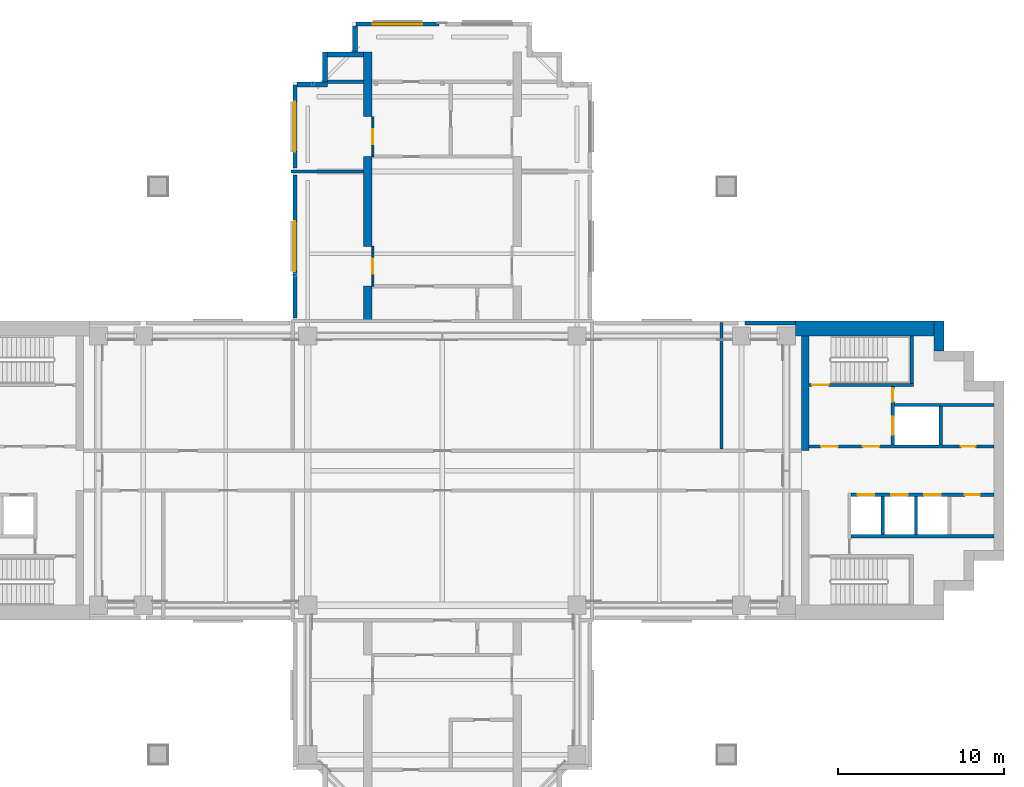
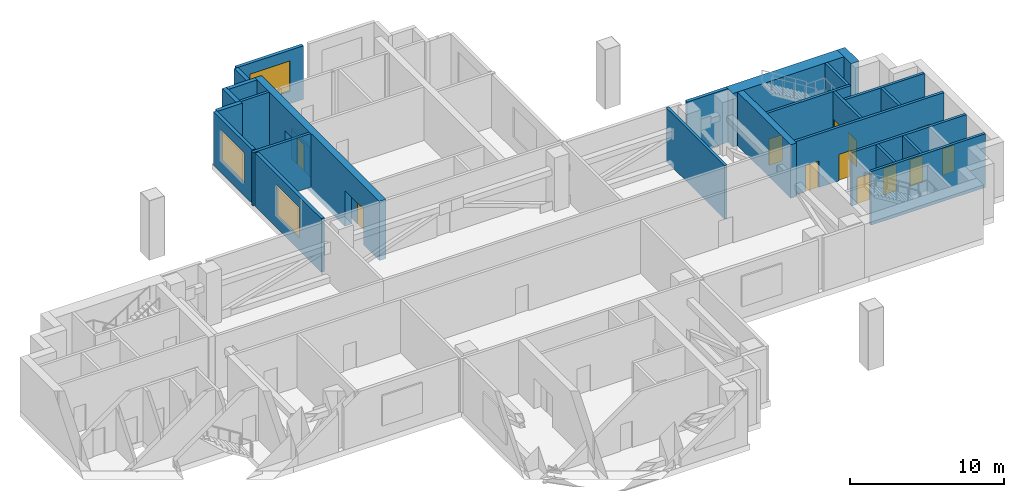
# One storey, part 7 of 11: 27 walls, 12 doors, 3 windows, 15 openings.
"""IFC4 building model written with IfcOpenShell, lengths in metres."""

from ifc_helpers import new_model, si_unit, direction, frame, frame_2d, origin, place, context, subcontext, project, spatial, polyline, rectangle, outline, extrude, material, layer, layer_set, material_profile, profile_set, type_object, element, fill, save


model = new_model("IFC4")

# Units and contexts
model_context = context("Model", 3, precision=1e-05, world=origin(), true_north=direction((0.0, 1.0)))
body_context = subcontext(model_context, "Body", "Model", "MODEL_VIEW")
ifc_project = project(units=[si_unit("LENGTHUNIT", "METRE"), si_unit("AREAUNIT", "SQUARE_METRE"), si_unit("VOLUMEUNIT", "CUBIC_METRE"), si_unit("PLANEANGLEUNIT", "RADIAN"), si_unit("MASSUNIT", "GRAM", prefix="KILO")], contexts=[model_context])

# Site, building, storey
site_placement = place(None, origin())
site = spatial("IfcSite", under=ifc_project, at=site_placement, CompositionType="ELEMENT")
building_placement = place(site_placement, origin())
building = spatial("IfcBuilding", under=site, at=building_placement, Name="Perihelion Cross Residences", CompositionType="ELEMENT")
storey_placement = place(building_placement, frame((0.0, 0.0, 162.10009765625)))
storey = spatial("IfcBuildingStorey", under=building, at=storey_placement, Name="L39", CompositionType="ELEMENT", Elevation=162.10009765625)

# Walls
ifc_material_1 = material(Name="Plasterboard partition")
ifc_layer_1 = layer(ifc_material_1, 0.199951171875)
ifc_layer_set_1 = layer_set([ifc_layer_1], Name="Apartment riser wall 200")
wall_type_1 = type_object("IfcWallType", Name="Apartment riser wall 200", PredefinedType="PARTITIONING", material=ifc_layer_set_1)
wall_1_placement = place(storey_placement, frame((16.800048828125, 8.89990234375, 0.0), z_axis=(0.0, 0.0, 1.0), x_axis=(0.0, -1.0, 0.0)))
element("IfcWall", 1, at=wall_1_placement, inside=storey, type_object=wall_type_1, Name="Partition L39 W011", PredefinedType="PARTITIONING", context=body_context, shape_type="SweptSolid", body=[
    extrude(rectangle(XDim=7.599853515625, YDim=0.199951171875, at=frame_2d((3.7998046875, 0.0))), origin(), (0.0, 0.0, 1.0), 4.25),
])
wall_2_placement = place(storey_placement, frame((-9.10009765625, 18.0, 0.0), z_axis=(0.0, 0.0, 1.0), x_axis=(1.0, 0.0, 0.0)))
element("IfcWall", 2, at=wall_2_placement, inside=storey, type_object=wall_type_1, Name="Partition L39 W020", PredefinedType="PARTITIONING", context=body_context, shape_type="SweptSolid", body=[
    extrude(rectangle(XDim=4.35009765625, YDim=0.199951171875, at=frame_2d((2.175048828125, 0.0))), origin(), (0.0, 0.0, 1.0), 4.25),
])
wall_3_placement = place(storey_placement, frame((-6.89990234375, 23.39990234375, 0.0), z_axis=(0.0, 0.0, 1.0), x_axis=(1.0, 0.0, 0.0)))
element("IfcWall", 3, at=wall_3_placement, inside=storey, type_object=wall_type_1, Name="Partition L39 W021", PredefinedType="PARTITIONING", context=body_context, shape_type="SweptSolid", body=[
    extrude(rectangle(XDim=2.14990234375, YDim=0.199951171875, at=frame_2d((1.074951171875, 0.0))), origin(), (0.0, 0.0, 1.0), 4.25),
])
ifc_material_2 = material(Name="Concrete C30/37, bronze-clad", Category="concrete")
ifc_layer_2 = layer(ifc_material_2, 0.300048828125)
ifc_layer_set_2 = layer_set([ifc_layer_2], Name="Bronze-clad serration wall 300")
wall_type_2 = type_object("IfcWallType", Name="Bronze-clad serration wall 300", PredefinedType="SOLIDWALL", material=ifc_layer_set_2)
wall_4_placement = place(storey_placement, frame((-5.25, 26.75, 0.0), z_axis=(0.0, 0.0, 1.0), x_axis=(0.0, -1.0, 0.0)))
element("IfcWall", 4, at=wall_4_placement, inside=storey, type_object=wall_type_2, Name="Wall SR1 L39 north corner north-west 1", PredefinedType="SOLIDWALL", context=body_context, shape_type="SweptSolid", body=[
    extrude(rectangle(XDim=1.550048828125, YDim=0.300048828125, at=frame_2d((0.77490234375, 0.0))), origin(), (0.0, 0.0, 1.0), 4.25),
])
wall_5_placement = place(storey_placement, frame((-4.75, 25.050048828125, 0.0), z_axis=(0.0, 0.0, 1.0), x_axis=(-1.0, 0.0, 0.0)))
element("IfcWall", 5, at=wall_5_placement, inside=storey, type_object=wall_type_2, Name="Wall SR1 L39 north corner north-west 2", PredefinedType="SOLIDWALL", context=body_context, shape_type="SweptSolid", body=[
    extrude(rectangle(XDim=2.14990234375, YDim=0.300048828125, at=frame_2d((1.074951171875, 0.0))), origin(), (0.0, 0.0, 1.0), 4.25),
])
wall_6_placement = place(storey_placement, frame((-7.050048828125, 25.199951171875, 0.0), z_axis=(0.0, 0.0, 1.0), x_axis=(0.0, -1.0, 0.0)))
element("IfcWall", 6, at=wall_6_placement, inside=storey, type_object=wall_type_2, Name="Wall SR1 L39 north corner north-west 3", PredefinedType="SOLIDWALL", context=body_context, shape_type="SweptSolid", body=[
    extrude(rectangle(XDim=1.800048828125, YDim=0.300048828125, at=frame_2d((0.89990234375, 0.0))), origin(), (0.0, 0.0, 1.0), 4.25),
])
wall_7_placement = place(storey_placement, frame((-6.89990234375, 23.25, 0.0), z_axis=(0.0, 0.0, 1.0), x_axis=(-1.0, 0.0, 0.0)))
element("IfcWall", 7, at=wall_7_placement, inside=storey, type_object=wall_type_2, Name="Wall SR1 L39 north corner north-west 4", PredefinedType="SOLIDWALL", context=body_context, shape_type="SweptSolid", body=[
    extrude(rectangle(XDim=1.85009765625, YDim=0.300048828125, at=frame_2d((0.925048828125, 0.0))), origin(), (0.0, 0.0, 1.0), 4.25),
])
ifc_material_3 = material(Name="Concrete C60/75", Category="concrete")
ifc_layer_3 = layer(ifc_material_3, 0.449951171875)
ifc_layer_set_3 = layer_set([ifc_layer_3], Name="Core wall, inner 450")
wall_type_3 = type_object("IfcWallType", Name="Core wall, inner 450", PredefinedType="SHEAR", material=ifc_layer_set_3)
wall_8_placement = place(storey_placement, frame((21.824951171875, 1.199951171875, 0.0), z_axis=(0.0, 0.0, 1.0), x_axis=(0.0, 1.0, 0.0)))
element("IfcWall", 8, at=wall_8_placement, inside=storey, type_object=wall_type_3, Name="East core core wall, inner", PredefinedType="SHEAR", context=body_context, shape_type="SweptSolid", body=[
    extrude(rectangle(XDim=6.900146484375, YDim=0.449951171875, at=frame_2d((3.4501953125, 0.0))), origin(), (0.0, 0.0, 1.0), 4.25),
])
ifc_material_4 = material(Name="Concrete C60/75", Category="concrete")
ifc_layer_4 = layer(ifc_material_4, 0.60009765625)
ifc_layer_set_4 = layer_set([ifc_layer_4], Name="Core wall, outer 600")
wall_type_4 = type_object("IfcWallType", Name="Core wall, outer 600", PredefinedType="SHEAR", material=ifc_layer_set_4)
wall_9_placement = place(storey_placement, frame((29.89990234375, 7.199951171875, 0.0), z_axis=(0.0, 0.0, 1.0), x_axis=(0.0, 1.0, 0.0)))
element("IfcWall", 9, at=wall_9_placement, inside=storey, type_object=wall_type_4, Name="East core core wall, outer", PredefinedType="SHEAR", context=body_context, shape_type="SweptSolid", body=[
    extrude(rectangle(XDim=1.800048828125, YDim=0.60009765625, at=frame_2d((0.89990234375, 0.0))), origin(), (0.0, 0.0, 1.0), 4.25),
])
ifc_material_5 = material(Name="Concrete C60/75", Category="concrete")
ifc_layer_5 = layer(ifc_material_5, 0.89990234375)
ifc_layer_set_5 = layer_set([ifc_layer_5], Name="Core wall, outer 900")
wall_type_5 = type_object("IfcWallType", Name="Core wall, outer 900", PredefinedType="SHEAR", material=ifc_layer_set_5)
wall_10_placement = place(storey_placement, frame((21.25, 8.550048828125, 0.0), z_axis=(0.0, 0.0, 1.0), x_axis=(1.0, 0.0, 0.0)))
element("IfcWall", 10, at=wall_10_placement, inside=storey, type_object=wall_type_5, Name="East core core wall, outer", PredefinedType="SHEAR", context=body_context, shape_type="SweptSolid", body=[
    extrude(rectangle(XDim=8.35009765625, YDim=0.89990234375, at=frame_2d((4.175048828125, 0.0))), origin(), (0.0, 0.0, 1.0), 4.25),
])

# Wall, opening, door
ifc_material_6 = material(Name="Plasterboard partition")
ifc_layer_6 = layer(ifc_material_6, 0.1201171875)
ifc_layer_set_6 = layer_set([ifc_layer_6], Name="Infill panel 120")
wall_type_6 = type_object("IfcWallType", Name="Infill panel 120", PredefinedType="PARTITIONING", material=ifc_layer_set_6)
wall_11_placement = place(storey_placement, frame((-4.18994140625, 11.10009765625, 0.0), z_axis=(0.0, 0.0, 1.0), x_axis=(0.0, 1.0, 0.0)))
wall_11 = element("IfcWall", 11, at=wall_11_placement, inside=storey, type_object=wall_type_6, Name="Partition L39 WI03", PredefinedType="PARTITIONING", context=body_context, shape_type="SweptSolid", body=[
    extrude(rectangle(XDim=2.39990234375, YDim=0.1201171875, at=frame_2d((1.199951171875, 0.0))), origin(), (0.0, 0.0, 1.0), 2.39990234375),
])
opening_1_placement = place(wall_11_placement, frame((0.75, 0.0, 0.0)))
opening_1 = element("IfcOpeningElement", 12, at=opening_1_placement, cuts=wall_11, Name="Opening L39.A22", PredefinedType="OPENING", context=body_context, shape_type="SweptSolid", body=[
    extrude(rectangle(XDim=0.89990234375, YDim=2.10009765625, at=frame_2d((0.449951171875, 1.050048828125))), frame((0.0, 0.070068359375, 0.0), z_axis=(0.0, -1.0, 0.0), x_axis=(1.0, 0.0, 0.0)), (0.0, 0.0, 1.0), 0.14013671875),
])
ifc_material_7 = material(Name="Timber door leaf", Category="wood")
door_type_1 = type_object("IfcDoorType", Name="Interior room door 900 x 2100", OperationType="SINGLE_SWING_LEFT", PredefinedType="DOOR", material=ifc_material_7)
door_1_placement = place(opening_1_placement, origin())
door_1 = element("IfcDoor", 13, at=door_1_placement, inside=storey, type_object=door_type_1, Name="Door L39.A22", OperationType="SINGLE_SWING_LEFT", OverallHeight=2.10009765625, OverallWidth=0.89990234375, PredefinedType="DOOR", context=body_context, shape_type="SweptSolid", body=[
    extrude(rectangle(XDim=0.89990234375, YDim=2.10009765625, at=frame_2d((0.449951171875, 1.050048828125))), frame((0.0, 0.02490234375, 0.0), z_axis=(0.0, -1.0, 0.0), x_axis=(1.0, 0.0, 0.0)), (0.0, 0.0, 1.0), 0.050048828125),
])
fill(opening_1, door_1)

wall_12_placement = place(storey_placement, frame((-4.18994140625, 18.89990234375, 0.0), z_axis=(0.0, 0.0, 1.0), x_axis=(0.0, 1.0, 0.0)))
wall_12 = element("IfcWall", 14, at=wall_12_placement, inside=storey, type_object=wall_type_6, Name="Partition L39 WI04", PredefinedType="PARTITIONING", context=body_context, shape_type="SweptSolid", body=[
    extrude(rectangle(XDim=2.400146484375, YDim=0.1201171875, at=frame_2d((1.2001953125, 0.0))), origin(), (0.0, 0.0, 1.0), 2.39990234375),
])
opening_2_placement = place(wall_12_placement, frame((0.75, 0.0, 0.0)))
opening_2 = element("IfcOpeningElement", 15, at=opening_2_placement, cuts=wall_12, Name="Opening L39.A23", PredefinedType="OPENING", context=body_context, shape_type="SweptSolid", body=[
    extrude(rectangle(XDim=0.89990234375, YDim=2.10009765625, at=frame_2d((0.449951171875, 1.050048828125))), frame((0.0, 0.070068359375, 0.0), z_axis=(0.0, -1.0, 0.0), x_axis=(1.0, 0.0, 0.0)), (0.0, 0.0, 1.0), 0.14013671875),
])
door_2_placement = place(opening_2_placement, origin())
door_2 = element("IfcDoor", 16, at=door_2_placement, inside=storey, type_object=door_type_1, Name="Door L39.A23", OperationType="SINGLE_SWING_RIGHT", OverallHeight=2.10009765625, OverallWidth=0.89990234375, PredefinedType="DOOR", context=body_context, shape_type="SweptSolid", body=[
    extrude(rectangle(XDim=0.89990234375, YDim=2.10009765625, at=frame_2d((0.449951171875, 1.050048828125))), frame((0.0, 0.02490234375, 0.0), z_axis=(0.0, -1.0, 0.0), x_axis=(1.0, 0.0, 0.0)), (0.0, 0.0, 1.0), 0.050048828125),
])
fill(opening_2, door_2)

# Wall
ifc_material_8 = material(Name="Concrete C30/37, bronze-clad", Category="concrete")
ifc_layer_7 = layer(ifc_material_8, 0.25)
ifc_layer_set_7 = layer_set([ifc_layer_7], Name="Louvre bay wall 250")
wall_type_7 = type_object("IfcWallType", Name="Louvre bay wall 250", PredefinedType="SOLIDWALL", material=ifc_layer_set_7)
wall_13_placement = place(storey_placement, frame((21.25, 8.875, 0.0), z_axis=(0.0, 0.0, 1.0), x_axis=(-1.0, 0.0, 0.0)))
element("IfcWall", 17, at=wall_13_placement, inside=storey, type_object=wall_type_7, Name="Wall FW2 L39 east side north bay 1 louvre", PredefinedType="SOLIDWALL", context=body_context, shape_type="SweptSolid", body=[
    extrude(rectangle(XDim=3.050048828125, YDim=0.25, at=frame_2d((1.52490234375, 0.0))), origin(), (0.0, 0.0, 1.0), 4.25),
])

# Wall, opening, window
wall_14_placement = place(storey_placement, frame((-0.199951171875, 26.875, 0.0), z_axis=(0.0, 0.0, 1.0), x_axis=(-1.0, 0.0, 0.0)))
wall_14 = element("IfcWall", 18, at=wall_14_placement, inside=storey, type_object=wall_type_7, Name="Wall FW2 L39 north tip north bay 2 louvre", PredefinedType="SOLIDWALL", context=body_context, shape_type="SweptSolid", body=[
    extrude(rectangle(XDim=5.0, YDim=0.25, at=frame_2d((2.5, 0.0))), origin(), (0.0, 0.0, 1.0), 4.25),
])
opening_3_placement = place(wall_14_placement, frame((1.0, 0.0, 1.0)))
opening_3 = element("IfcOpeningElement", 19, at=opening_3_placement, cuts=wall_14, Name="Opening L39.W04", PredefinedType="OPENING", context=body_context, shape_type="SweptSolid", body=[
    extrude(rectangle(XDim=3.0, YDim=2.39990234375, at=frame_2d((1.5, 1.199951171875))), frame((0.0, 0.135009765625, 0.0), z_axis=(0.0, -1.0, 0.0), x_axis=(1.0, 0.0, 0.0)), (0.0, 0.0, 1.0), 0.27001953125),
])
ifc_material_9 = material(Name="Bronze anodised aluminium, louvred", Category="aluminium")
window_type = type_object("IfcWindowType", Name="Louvred vent 3000 x 2400", PartitioningType="SINGLE_PANEL", PredefinedType="WINDOW", material=ifc_material_9)
window_1_placement = place(opening_3_placement, origin())
window_1 = element("IfcWindow", 20, at=window_1_placement, inside=storey, type_object=window_type, Name="Window L39.W04 north tip north bay 2 vent", OverallHeight=2.39990234375, OverallWidth=3.0, PartitioningType="SINGLE_PANEL", PredefinedType="WINDOW", context=body_context, shape_type="SweptSolid", body=[
    extrude(rectangle(XDim=3.0, YDim=2.39990234375, at=frame_2d((1.5, 1.199951171875))), frame((0.0, 0.030029296875, 0.0), z_axis=(0.0, -1.0, 0.0), x_axis=(1.0, 0.0, 0.0)), (0.0, 0.0, 1.0), 0.06005859375),
])
fill(opening_3, window_1)

wall_15_placement = place(storey_placement, frame((-8.875, 23.199951171875, 0.0), z_axis=(0.0, 0.0, 1.0), x_axis=(0.0, -1.0, 0.0)))
wall_15 = element("IfcWall", 21, at=wall_15_placement, inside=storey, type_object=wall_type_7, Name="Wall FW2 L39 north side west bay 1 louvre", PredefinedType="SOLIDWALL", context=body_context, shape_type="SweptSolid", body=[
    extrude(rectangle(XDim=5.0, YDim=0.25, at=frame_2d((2.5, 0.0))), origin(), (0.0, 0.0, 1.0), 4.25),
])
opening_4_placement = place(wall_15_placement, frame((1.0, 0.0, 1.0)))
opening_4 = element("IfcOpeningElement", 22, at=opening_4_placement, cuts=wall_15, Name="Opening L39.W05", PredefinedType="OPENING", context=body_context, shape_type="SweptSolid", body=[
    extrude(rectangle(XDim=3.0, YDim=2.39990234375, at=frame_2d((1.5, 1.199951171875))), frame((0.0, 0.135009765625, 0.0), z_axis=(0.0, -1.0, 0.0), x_axis=(1.0, 0.0, 0.0)), (0.0, 0.0, 1.0), 0.27001953125),
])
window_2_placement = place(opening_4_placement, origin())
window_2 = element("IfcWindow", 23, at=window_2_placement, inside=storey, type_object=window_type, Name="Window L39.W05 north side west bay 1 vent", OverallHeight=2.39990234375, OverallWidth=3.0, PartitioningType="SINGLE_PANEL", PredefinedType="WINDOW", context=body_context, shape_type="SweptSolid", body=[
    extrude(rectangle(XDim=3.0, YDim=2.39990234375, at=frame_2d((1.5, 1.199951171875))), frame((0.0, 0.030029296875, 0.0), z_axis=(0.0, -1.0, 0.0), x_axis=(1.0, 0.0, 0.0)), (0.0, 0.0, 1.0), 0.06005859375),
])
fill(opening_4, window_2)

wall_16_placement = place(storey_placement, frame((-8.875, 17.800048828125, 0.0), z_axis=(0.0, 0.0, 1.0), x_axis=(0.0, -1.0, 0.0)))
wall_16 = element("IfcWall", 24, at=wall_16_placement, inside=storey, type_object=wall_type_7, Name="Wall FW2 L39 north side west bay 2 louvre", PredefinedType="SOLIDWALL", context=body_context, shape_type="SweptSolid", body=[
    extrude(rectangle(XDim=8.60009765625, YDim=0.25, at=frame_2d((4.300048828125, 0.0))), origin(), (0.0, 0.0, 1.0), 4.25),
])
opening_5_placement = place(wall_16_placement, frame((2.800048828125, 0.0, 1.0)))
opening_5 = element("IfcOpeningElement", 25, at=opening_5_placement, cuts=wall_16, Name="Opening L39.W06", PredefinedType="OPENING", context=body_context, shape_type="SweptSolid", body=[
    extrude(rectangle(XDim=3.0, YDim=2.39990234375, at=frame_2d((1.5, 1.199951171875))), frame((0.0, 0.135009765625, 0.0), z_axis=(0.0, -1.0, 0.0), x_axis=(1.0, 0.0, 0.0)), (0.0, 0.0, 1.0), 0.27001953125),
])
window_3_placement = place(opening_5_placement, origin())
window_3 = element("IfcWindow", 26, at=window_3_placement, inside=storey, type_object=window_type, Name="Window L39.W06 north side west bay 2 vent", OverallHeight=2.39990234375, OverallWidth=3.0, PartitioningType="SINGLE_PANEL", PredefinedType="WINDOW", context=body_context, shape_type="SweptSolid", body=[
    extrude(rectangle(XDim=3.0, YDim=2.39990234375, at=frame_2d((1.5, 1.199951171875))), frame((0.0, 0.030029296875, 0.0), z_axis=(0.0, -1.0, 0.0), x_axis=(1.0, 0.0, 0.0)), (0.0, 0.0, 1.0), 0.06005859375),
])
fill(opening_5, window_3)

# Wall, openings, doors
ifc_material_10 = material(Name="Concrete C50/60", Category="concrete")
ifc_layer_8 = layer(ifc_material_10, 0.199951171875)
ifc_layer_set_8 = layer_set([ifc_layer_8], Name="Shaft wall 200")
wall_type_8 = type_object("IfcWallType", Name="Shaft wall 200", PredefinedType="SOLIDWALL", material=ifc_layer_set_8)
wall_17_placement = place(storey_placement, frame((22.050048828125, 1.449951171875, 0.0), z_axis=(0.0, 0.0, 1.0), x_axis=(1.0, 0.0, 0.0)))
wall_17 = element("IfcWall", 27, at=wall_17_placement, inside=storey, type_object=wall_type_8, Name="East core shaft wall", PredefinedType="SOLIDWALL", context=body_context, shape_type="SweptSolid", body=[
    extrude(rectangle(XDim=11.14990234375, YDim=0.199951171875, at=frame_2d((5.574951171875, 0.0))), origin(), (0.0, 0.0, 1.0), 4.25),
])
opening_6_placement = place(wall_17_placement, frame((0.75, 0.0, 0.0)))
opening_6 = element("IfcOpeningElement", 28, at=opening_6_placement, cuts=wall_17, Name="Opening L39.C07", PredefinedType="OPENING", context=body_context, shape_type="SweptSolid", body=[
    extrude(rectangle(XDim=1.0, YDim=2.10009765625, at=frame_2d((0.5, 1.050048828125))), frame((0.0, 0.10986328125, 0.0), z_axis=(0.0, -1.0, 0.0), x_axis=(1.0, 0.0, 0.0)), (0.0, 0.0, 1.0), 0.219970703125),
])
opening_7_placement = place(wall_17_placement, frame((3.25, 0.0, 0.0)))
opening_7 = element("IfcOpeningElement", 29, at=opening_7_placement, cuts=wall_17, Name="Opening L39.C09", PredefinedType="OPENING", context=body_context, shape_type="SweptSolid", body=[
    extrude(rectangle(XDim=1.0, YDim=2.10009765625, at=frame_2d((0.5, 1.050048828125))), frame((0.0, 0.10986328125, 0.0), z_axis=(0.0, -1.0, 0.0), x_axis=(1.0, 0.0, 0.0)), (0.0, 0.0, 1.0), 0.219970703125),
])
opening_8_placement = place(wall_17_placement, frame((9.14990234375, 0.0, 0.0)))
opening_8 = element("IfcOpeningElement", 30, at=opening_8_placement, cuts=wall_17, Name="Opening L39.C11", PredefinedType="OPENING", context=body_context, shape_type="SweptSolid", body=[
    extrude(rectangle(XDim=0.89990234375, YDim=2.10009765625, at=frame_2d((0.449951171875, 1.050048828125))), frame((0.0, 0.10986328125, 0.0), z_axis=(0.0, -1.0, 0.0), x_axis=(1.0, 0.0, 0.0)), (0.0, 0.0, 1.0), 0.219970703125),
])
ifc_material_11 = material(Name="Steel, powder coated", Category="steel")
door_type_2 = type_object("IfcDoorType", Name="Lobby door 1000", OperationType="SINGLE_SWING_LEFT", PredefinedType="DOOR", material=ifc_material_11)
door_3_placement = place(opening_6_placement, origin())
door_3 = element("IfcDoor", 31, at=door_3_placement, inside=storey, type_object=door_type_2, Name="East core firefighting lobby door", OperationType="SINGLE_SWING_LEFT", OverallHeight=2.10009765625, OverallWidth=1.0, PredefinedType="DOOR", context=body_context, shape_type="SweptSolid", body=[
    extrude(rectangle(XDim=1.0, YDim=2.10009765625, at=frame_2d((0.5, 1.050048828125))), frame((0.0, 0.02490234375, 0.0), z_axis=(0.0, -1.0, 0.0), x_axis=(1.0, 0.0, 0.0)), (0.0, 0.0, 1.0), 0.050048828125),
])
fill(opening_6, door_3)
door_4_placement = place(opening_7_placement, origin())
door_4 = element("IfcDoor", 32, at=door_4_placement, inside=storey, type_object=door_type_2, Name="East core firefighting lobby door", OperationType="SINGLE_SWING_LEFT", OverallHeight=2.10009765625, OverallWidth=1.0, PredefinedType="DOOR", context=body_context, shape_type="SweptSolid", body=[
    extrude(rectangle(XDim=1.0, YDim=2.10009765625, at=frame_2d((0.5, 1.050048828125))), frame((0.0, 0.02490234375, 0.0), z_axis=(0.0, -1.0, 0.0), x_axis=(1.0, 0.0, 0.0)), (0.0, 0.0, 1.0), 0.050048828125),
])
fill(opening_7, door_4)
ifc_material_12 = material(Name="Steel, powder coated", Category="steel")
door_type_3 = type_object("IfcDoorType", Name="Service room door 900", OperationType="SINGLE_SWING_LEFT", PredefinedType="DOOR", material=ifc_material_12)
door_5_placement = place(opening_8_placement, origin())
door_5 = element("IfcDoor", 33, at=door_5_placement, inside=storey, type_object=door_type_3, Name="East core service room door", OperationType="SINGLE_SWING_LEFT", OverallHeight=2.10009765625, OverallWidth=0.89990234375, PredefinedType="DOOR", context=body_context, shape_type="SweptSolid", body=[
    extrude(rectangle(XDim=0.89990234375, YDim=2.10009765625, at=frame_2d((0.449951171875, 1.050048828125))), frame((0.0, 0.02490234375, 0.0), z_axis=(0.0, -1.0, 0.0), x_axis=(1.0, 0.0, 0.0)), (0.0, 0.0, 1.0), 0.050048828125),
])
fill(opening_8, door_5)

wall_18_placement = place(storey_placement, frame((24.60009765625, -1.449951171875, 0.0), z_axis=(0.0, 0.0, 1.0), x_axis=(1.0, 0.0, 0.0)))
wall_18 = element("IfcWall", 34, at=wall_18_placement, inside=storey, type_object=wall_type_8, Name="East core shaft wall", PredefinedType="SOLIDWALL", context=body_context, shape_type="SweptSolid", body=[
    extrude(rectangle(XDim=8.599853515625, YDim=0.199951171875, at=frame_2d((4.2998046875, 0.0))), origin(), (0.0, 0.0, 1.0), 4.25),
])
opening_9_placement = place(wall_18_placement, frame((0.39990234375, 0.0, 0.0)))
opening_9 = element("IfcOpeningElement", 35, at=opening_9_placement, cuts=wall_18, Name="Opening L39.C01", PredefinedType="OPENING", context=body_context, shape_type="SweptSolid", body=[
    extrude(rectangle(XDim=1.0, YDim=2.10009765625, at=frame_2d((0.5, 1.050048828125))), frame((0.0, 0.10986328125, 0.0), z_axis=(0.0, -1.0, 0.0), x_axis=(1.0, 0.0, 0.0)), (0.0, 0.0, 1.0), 0.219970703125),
])
opening_10_placement = place(wall_18_placement, frame((2.39990234375, 0.0, 0.0)))
opening_10 = element("IfcOpeningElement", 36, at=opening_10_placement, cuts=wall_18, Name="Opening L39.C03", PredefinedType="OPENING", context=body_context, shape_type="SweptSolid", body=[
    extrude(rectangle(XDim=1.0, YDim=2.10009765625, at=frame_2d((0.5, 1.050048828125))), frame((0.0, 0.10986328125, 0.0), z_axis=(0.0, -1.0, 0.0), x_axis=(1.0, 0.0, 0.0)), (0.0, 0.0, 1.0), 0.219970703125),
])
opening_11_placement = place(wall_18_placement, frame((4.39990234375, 0.0, 0.0)))
opening_11 = element("IfcOpeningElement", 37, at=opening_11_placement, cuts=wall_18, Name="Opening L39.C04", PredefinedType="OPENING", context=body_context, shape_type="SweptSolid", body=[
    extrude(rectangle(XDim=1.0, YDim=2.10009765625, at=frame_2d((0.5, 1.050048828125))), frame((0.0, 0.10986328125, 0.0), z_axis=(0.0, -1.0, 0.0), x_axis=(1.0, 0.0, 0.0)), (0.0, 0.0, 1.0), 0.219970703125),
])
opening_12_placement = place(wall_18_placement, frame((6.85009765625, 0.0, 0.0)))
opening_12 = element("IfcOpeningElement", 38, at=opening_12_placement, cuts=wall_18, Name="Opening L39.C12", PredefinedType="OPENING", context=body_context, shape_type="SweptSolid", body=[
    extrude(rectangle(XDim=0.89990234375, YDim=2.10009765625, at=frame_2d((0.449951171875, 1.050048828125))), frame((0.0, 0.10986328125, 0.0), z_axis=(0.0, -1.0, 0.0), x_axis=(1.0, 0.0, 0.0)), (0.0, 0.0, 1.0), 0.219970703125),
])
ifc_material_13 = material(Name="Stainless steel", Category="steel")
door_type_4 = type_object("IfcDoorType", Name="Landing door 1000", OperationType="DOUBLE_DOOR_SLIDING", PredefinedType="DOOR", material=ifc_material_13)
door_6_placement = place(opening_9_placement, origin())
door_6 = element("IfcDoor", 39, at=door_6_placement, inside=storey, type_object=door_type_4, Name="Landing door, East core high-rise lift 1", OperationType="DOUBLE_DOOR_SLIDING", OverallHeight=2.10009765625, OverallWidth=1.0, PredefinedType="DOOR", context=body_context, shape_type="SweptSolid", body=[
    extrude(rectangle(XDim=1.0, YDim=2.10009765625, at=frame_2d((0.5, 1.050048828125))), frame((0.0, 0.02490234375, 0.0), z_axis=(0.0, -1.0, 0.0), x_axis=(1.0, 0.0, 0.0)), (0.0, 0.0, 1.0), 0.050048828125),
])
fill(opening_9, door_6)
door_7_placement = place(opening_10_placement, origin())
door_7 = element("IfcDoor", 40, at=door_7_placement, inside=storey, type_object=door_type_4, Name="Landing door, East core high-rise lift 2", OperationType="DOUBLE_DOOR_SLIDING", OverallHeight=2.10009765625, OverallWidth=1.0, PredefinedType="DOOR", context=body_context, shape_type="SweptSolid", body=[
    extrude(rectangle(XDim=1.0, YDim=2.10009765625, at=frame_2d((0.5, 1.050048828125))), frame((0.0, 0.02490234375, 0.0), z_axis=(0.0, -1.0, 0.0), x_axis=(1.0, 0.0, 0.0)), (0.0, 0.0, 1.0), 0.050048828125),
])
fill(opening_10, door_7)
door_8_placement = place(opening_11_placement, origin())
door_8 = element("IfcDoor", 41, at=door_8_placement, inside=storey, type_object=door_type_4, Name="Landing door, East core high-rise lift 3", OperationType="DOUBLE_DOOR_SLIDING", OverallHeight=2.10009765625, OverallWidth=1.0, PredefinedType="DOOR", context=body_context, shape_type="SweptSolid", body=[
    extrude(rectangle(XDim=1.0, YDim=2.10009765625, at=frame_2d((0.5, 1.050048828125))), frame((0.0, 0.02490234375, 0.0), z_axis=(0.0, -1.0, 0.0), x_axis=(1.0, 0.0, 0.0)), (0.0, 0.0, 1.0), 0.050048828125),
])
fill(opening_11, door_8)
door_9_placement = place(opening_12_placement, origin())
door_9 = element("IfcDoor", 42, at=door_9_placement, inside=storey, type_object=door_type_3, Name="East core service room door", OperationType="SINGLE_SWING_LEFT", OverallHeight=2.10009765625, OverallWidth=0.89990234375, PredefinedType="DOOR", context=body_context, shape_type="SweptSolid", body=[
    extrude(rectangle(XDim=0.89990234375, YDim=2.10009765625, at=frame_2d((0.449951171875, 1.050048828125))), frame((0.0, 0.02490234375, 0.0), z_axis=(0.0, -1.0, 0.0), x_axis=(1.0, 0.0, 0.0)), (0.0, 0.0, 1.0), 0.050048828125),
])
fill(opening_12, door_9)

# Walls
wall_19_placement = place(storey_placement, frame((27.199951171875, 3.949951171875, 0.0), z_axis=(0.0, 0.0, 1.0), x_axis=(1.0, 0.0, 0.0)))
element("IfcWall", 43, at=wall_19_placement, inside=storey, type_object=wall_type_8, Name="East core shaft wall", PredefinedType="SOLIDWALL", context=body_context, shape_type="SweptSolid", body=[
    extrude(rectangle(XDim=6.0, YDim=0.199951171875, at=frame_2d((3.0, 0.0))), origin(), (0.0, 0.0, 1.0), 4.25),
])
wall_20_placement = place(storey_placement, frame((24.60009765625, -3.949951171875, 0.0), z_axis=(0.0, 0.0, 1.0), x_axis=(1.0, 0.0, 0.0)))
element("IfcWall", 44, at=wall_20_placement, inside=storey, type_object=wall_type_8, Name="East core shaft wall", PredefinedType="SOLIDWALL", context=body_context, shape_type="SweptSolid", body=[
    extrude(rectangle(XDim=8.599853515625, YDim=0.199951171875, at=frame_2d((4.2998046875, 0.0))), origin(), (0.0, 0.0, 1.0), 4.25),
])

# Wall, openings, doors
wall_21_placement = place(storey_placement, frame((27.10009765625, 1.550048828125, 0.0), z_axis=(0.0, 0.0, 1.0), x_axis=(0.0, 1.0, 0.0)))
wall_21 = element("IfcWall", 45, at=wall_21_placement, inside=storey, type_object=wall_type_8, Name="East core shaft wall", PredefinedType="SOLIDWALL", context=body_context, shape_type="SweptSolid", body=[
    extrude(rectangle(XDim=3.5, YDim=0.199951171875, at=frame_2d((1.75, 0.0))), origin(), (0.0, 0.0, 1.0), 4.25),
])
opening_13_placement = place(wall_21_placement, frame((0.60009765625, 0.0, 0.0)))
opening_13 = element("IfcOpeningElement", 46, at=opening_13_placement, cuts=wall_21, Name="Opening L39.C02", PredefinedType="OPENING", context=body_context, shape_type="SweptSolid", body=[
    extrude(rectangle(XDim=1.10009765625, YDim=2.10009765625, at=frame_2d((0.550048828125, 1.050048828125))), frame((0.0, 0.10986328125, 0.0), z_axis=(0.0, -1.0, 0.0), x_axis=(1.0, 0.0, 0.0)), (0.0, 0.0, 1.0), 0.219970703125),
])
opening_14_placement = place(wall_21_placement, frame((2.60009765625, 0.0, 0.0)))
opening_14 = element("IfcOpeningElement", 47, at=opening_14_placement, cuts=wall_21, Name="Opening L39.C10", PredefinedType="OPENING", context=body_context, shape_type="SweptSolid", body=[
    extrude(rectangle(XDim=0.800048828125, YDim=2.10009765625, at=frame_2d((0.39990234375, 1.050048828125))), frame((0.0, 0.10986328125, 0.0), z_axis=(0.0, -1.0, 0.0), x_axis=(1.0, 0.0, 0.0)), (0.0, 0.0, 1.0), 0.219970703125),
])
ifc_material_14 = material(Name="Stainless steel", Category="steel")
door_type_5 = type_object("IfcDoorType", Name="Landing door, firefighting lift 1100", OperationType="DOUBLE_DOOR_SLIDING", PredefinedType="DOOR", material=ifc_material_14)
door_10_placement = place(opening_13_placement, origin())
door_10 = element("IfcDoor", 48, at=door_10_placement, inside=storey, type_object=door_type_5, Name="Landing door, East core firefighting and service lift", OperationType="DOUBLE_DOOR_SLIDING", OverallHeight=2.10009765625, OverallWidth=1.10009765625, PredefinedType="DOOR", context=body_context, shape_type="SweptSolid", body=[
    extrude(rectangle(XDim=1.10009765625, YDim=2.10009765625, at=frame_2d((0.550048828125, 1.050048828125))), frame((0.0, 0.02490234375, 0.0), z_axis=(0.0, -1.0, 0.0), x_axis=(1.0, 0.0, 0.0)), (0.0, 0.0, 1.0), 0.050048828125),
])
fill(opening_13, door_10)
ifc_material_15 = material(Name="Steel, powder coated", Category="steel")
door_type_6 = type_object("IfcDoorType", Name="Riser door 800", OperationType="SINGLE_SWING_LEFT", PredefinedType="DOOR", material=ifc_material_15)
door_11_placement = place(opening_14_placement, origin())
door_11 = element("IfcDoor", 49, at=door_11_placement, inside=storey, type_object=door_type_6, Name="East core riser door", OperationType="SINGLE_SWING_LEFT", OverallHeight=2.10009765625, OverallWidth=0.800048828125, PredefinedType="DOOR", context=body_context, shape_type="SweptSolid", body=[
    extrude(rectangle(XDim=0.800048828125, YDim=2.10009765625, at=frame_2d((0.39990234375, 1.050048828125))), frame((0.0, 0.02490234375, 0.0), z_axis=(0.0, -1.0, 0.0), x_axis=(1.0, 0.0, 0.0)), (0.0, 0.0, 1.0), 0.050048828125),
])
fill(opening_14, door_11)

# Walls
for number, where, z_axis, x_axis, name in (
    (50, (30.0, 1.550048828125, 0.0), (0.0, 0.0, 1.0), (0.0, 1.0, 0.0), "East core shaft wall"),
    (51, (26.5, -3.85009765625, 0.0), (0.0, 0.0, 1.0), (0.0, 1.0, 0.0), "East core shaft wall"),
    (52, (28.5, -3.85009765625, 0.0), (0.0, 0.0, 1.0), (0.0, 1.0, 0.0), "East core shaft wall"),
):
    element("IfcWall", number, at=place(storey_placement, frame(where, z_axis=z_axis, x_axis=x_axis)), inside=storey, type_object=wall_type_8, Name=name, PredefinedType="SOLIDWALL", context=body_context, shape_type="SweptSolid", body=[
        extrude(rectangle(XDim=2.300048828125, YDim=0.199951171875, at=frame_2d((1.14990234375, 0.0))), origin(), (0.0, 0.0, 1.0), 4.25),
    ])

# Wall, opening, door
ifc_material_16 = material(Name="Concrete C50/60", Category="concrete")
ifc_layer_9 = layer(ifc_material_16, 0.199951171875)
ifc_layer_set_9 = layer_set([ifc_layer_9], Name="Stair wall 200")
wall_type_9 = type_object("IfcWallType", Name="Stair wall 200", PredefinedType="SOLIDWALL", material=ifc_layer_set_9)
wall_22_placement = place(storey_placement, frame((22.050048828125, 5.14990234375, 0.0), z_axis=(0.0, 0.0, 1.0), x_axis=(1.0, 0.0, 0.0)))
wall_22 = element("IfcWall", 53, at=wall_22_placement, inside=storey, type_object=wall_type_9, Name="East core stair wall", PredefinedType="SOLIDWALL", context=body_context, shape_type="SweptSolid", body=[
    extrude(rectangle(XDim=6.300048828125, YDim=0.199951171875, at=frame_2d((3.14990234375, 0.0))), origin(), (0.0, 0.0, 1.0), 4.25),
])
opening_15_placement = place(wall_22_placement, frame((0.199951171875, 0.0, 0.0)))
opening_15 = element("IfcOpeningElement", 54, at=opening_15_placement, cuts=wall_22, Name="Opening L39.C06", PredefinedType="OPENING", context=body_context, shape_type="SweptSolid", body=[
    extrude(rectangle(XDim=1.0, YDim=2.10009765625, at=frame_2d((0.5, 1.050048828125))), frame((0.0, 0.10986328125, 0.0), z_axis=(0.0, -1.0, 0.0), x_axis=(1.0, 0.0, 0.0)), (0.0, 0.0, 1.0), 0.219970703125),
])
ifc_material_17 = material(Name="Steel, powder coated", Category="steel")
door_type_7 = type_object("IfcDoorType", Name="Stair door 1000", OperationType="SINGLE_SWING_LEFT", PredefinedType="DOOR", material=ifc_material_17)
door_12_placement = place(opening_15_placement, origin())
door_12 = element("IfcDoor", 55, at=door_12_placement, inside=storey, type_object=door_type_7, Name="East core stair door", OperationType="SINGLE_SWING_LEFT", OverallHeight=2.10009765625, OverallWidth=1.0, PredefinedType="DOOR", context=body_context, shape_type="SweptSolid", body=[
    extrude(rectangle(XDim=1.0, YDim=2.10009765625, at=frame_2d((0.5, 1.050048828125))), frame((0.0, 0.02490234375, 0.0), z_axis=(0.0, -1.0, 0.0), x_axis=(1.0, 0.0, 0.0)), (0.0, 0.0, 1.0), 0.050048828125),
])
fill(opening_15, door_12)

# Walls
wall_23_placement = place(storey_placement, frame((28.25, 5.25, 0.0), z_axis=(0.0, 0.0, 1.0), x_axis=(0.0, 1.0, 0.0)))
element("IfcWall", 56, at=wall_23_placement, inside=storey, type_object=wall_type_9, Name="East core stair wall", PredefinedType="SOLIDWALL", context=body_context, shape_type="SweptSolid", body=[
    extrude(rectangle(XDim=2.85009765625, YDim=0.199951171875, at=frame_2d((1.425048828125, 0.0))), origin(), (0.0, 0.0, 1.0), 4.25),
])
ifc_material_18 = material(Name="Concrete C60/75", Category="concrete")
ifc_material_profile = material_profile(ifc_material_18, outline(polyline([(0.0, 0.0), (2.10009765625, 0.0), (2.10009765625, 2.85009765625), (4.5, 2.85009765625), (4.5, 0.0), (9.89990234375, 0.0), (9.89990234375, 2.85009765625), (12.300048828125, 2.85009765625), (12.300048828125, 0.0), (16.199951171875, 0.0), (16.199951171875, 4.699951171875), (0.0, 4.699951171875), (0.0, 0.0)])), Name="Tip spine wall")
ifc_profile_set = profile_set([ifc_material_profile], Name="Concrete C60/75")
wall_type_10 = type_object("IfcWallType", Name="Tip spine wall 500 with 2 door openings 16200 long 4700 high concrete C60/75 hand B", PredefinedType="SHEAR", material=ifc_profile_set)
wall_24_placement = place(storey_placement, frame((-4.75, 9.0, -0.4501953125), z_axis=(1.0, 0.0, 0.0), x_axis=(0.0, 1.0, 0.0)))
element("IfcWall", 57, at=wall_24_placement, inside=storey, type_object=wall_type_10, Name="Shear wall SW40 L39 north west", PredefinedType="SHEAR", context=body_context, shape_type="SweptSolid", body=[
    extrude(outline(polyline([(0.0, 0.0), (2.10009765625, 0.0), (2.10009765625, 2.85009765625), (4.5, 2.85009765625), (4.5, 0.0), (9.89990234375, 0.0), (9.89990234375, 2.85009765625), (12.300048828125, 2.85009765625), (12.300048828125, 0.0), (16.199951171875, 0.0), (16.199951171875, 4.699951171875), (0.0, 4.699951171875), (0.0, 0.0)])), origin(), (0.0, 0.0, 1.0), 0.5),
])

save(model, "model.ifc")
